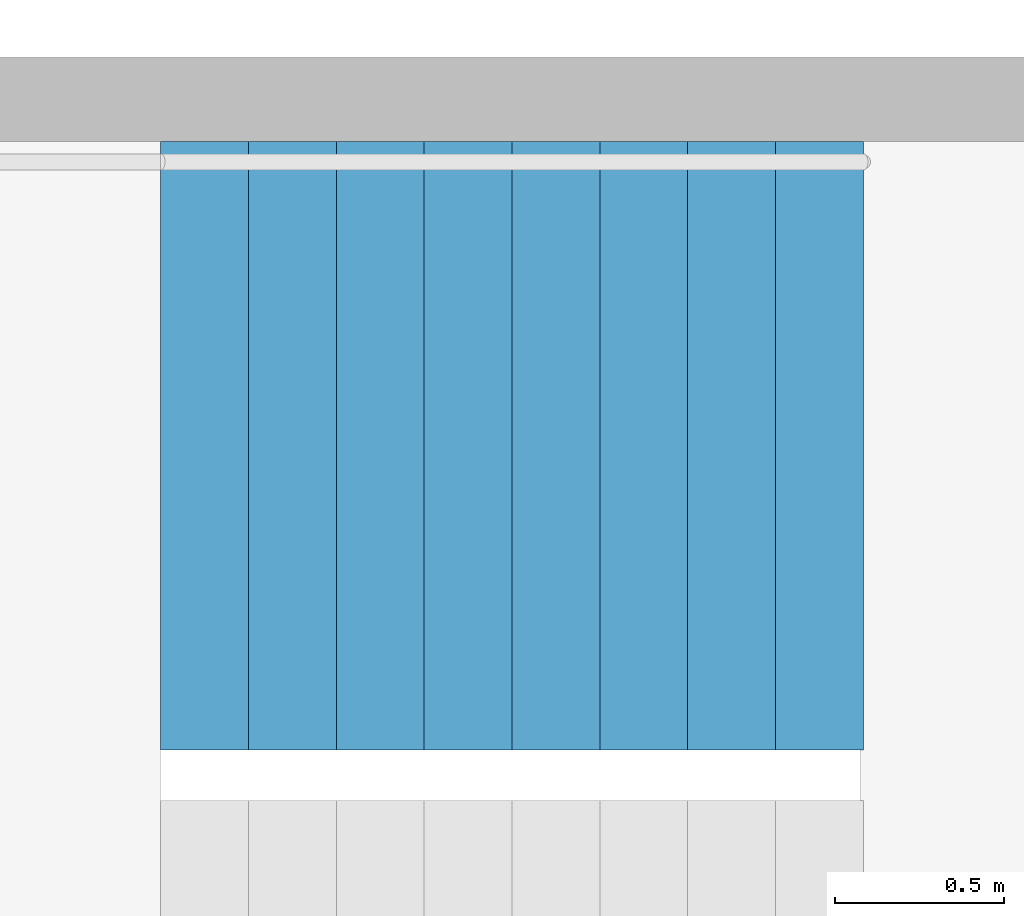
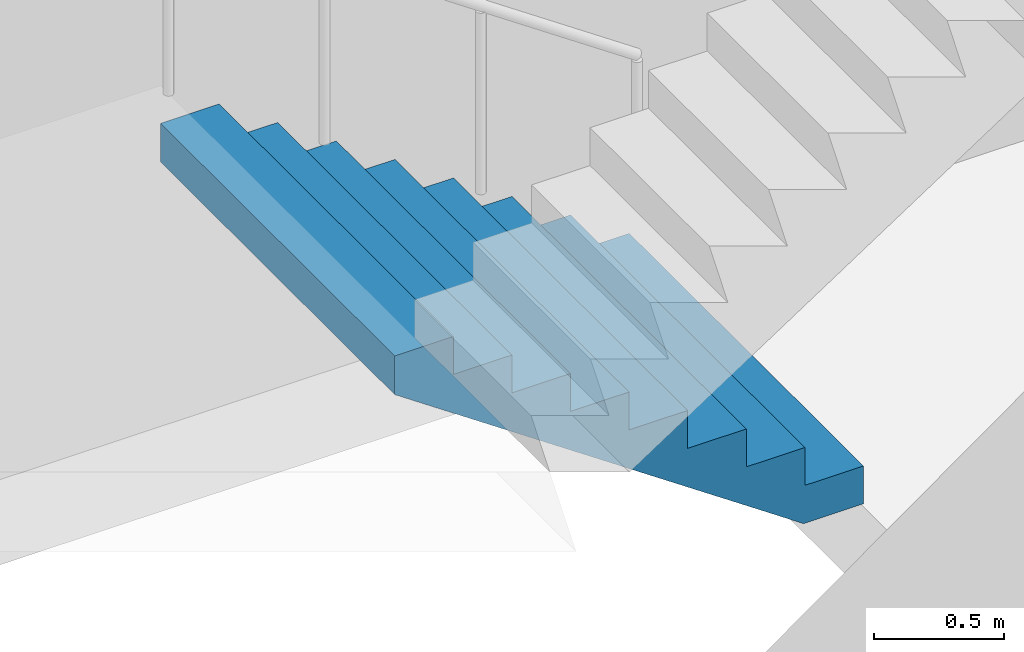
# One storey, part 22 of 29: 1 stair flight, 1 element without a shape of its own.
"""IFC4 building model written with IfcOpenShell, lengths in metres."""

from ifc_helpers import new_model, si_unit, direction, frame, origin, place, context, subcontext, project, spatial, triangles, material, type_object, element, aggregate, save


model = new_model("IFC4")

# Units and contexts
model_context = context("Model", 3, precision=1e-05, world=origin(), true_north=direction((0.0, 1.0)))
body_context = subcontext(model_context, "Body", "Model", "MODEL_VIEW")
ifc_project = project(units=[si_unit("LENGTHUNIT", "METRE"), si_unit("AREAUNIT", "SQUARE_METRE"), si_unit("VOLUMEUNIT", "CUBIC_METRE"), si_unit("PLANEANGLEUNIT", "RADIAN"), si_unit("MASSUNIT", "GRAM", prefix="KILO")], contexts=[model_context])

# Site, building, storey
site_placement = place(None, origin())
site = spatial("IfcSite", under=ifc_project, at=site_placement, CompositionType="ELEMENT")
building_placement = place(site_placement, origin())
building = spatial("IfcBuilding", under=site, at=building_placement, Name="Hakoniwa Tower and Hamabe Station Hall", CompositionType="ELEMENT")
storey_placement = place(building_placement, frame((0.0, 0.0, 91.39990234375)))
storey = spatial("IfcBuildingStorey", under=building, at=storey_placement, Name="L25", CompositionType="ELEMENT", Elevation=91.39990234375)

# Stair, stair flight
ifc_material_1 = material(Name="Concrete C40", Category="concrete")
stair_type = type_object("IfcStairType", Name="ESCAPE STAIR 1800", PredefinedType="HALF_TURN_STAIR", material=ifc_material_1)
stair_placement = place(storey_placement, origin())
stair = element("IfcStair", 1, at=stair_placement, inside=storey, type_object=stair_type, Name="Escape stair ST-2 L25", PredefinedType="HALF_TURN_STAIR")
ifc_material_2 = material(Name="Concrete C40", Category="concrete")
stair_flight_type = type_object("IfcStairFlightType", Name="STAIR FLIGHT 1800", PredefinedType="STRAIGHT", material=ifc_material_2)
stair_flight_placement = place(storey_placement, frame((-23.39990234375, -4.64990234375, 0.0), z_axis=(0.0, 0.0, 1.0), x_axis=(-1.0, 0.0, 0.0)))
stair_flight = element("IfcStairFlight", 2, at=stair_flight_placement, type_object=stair_flight_type, Name="ST-2 flight 1", NumberOfRisers=9, NumberOfTreads=8, PredefinedType="STRAIGHT", RiserHeight=0.177777778, TreadLength=0.26, context=body_context, shape_type="Tessellation", body=[
    triangles([(0.0, 0.89990234375, 0.0), (0.260009765625, 0.89990234375, 0.0), (0.265625, 0.89990234375, 0.0), (0.52001953125, 0.89990234375, 0.174072265625), (0.780029296875, 0.89990234375, 0.351806640625), (1.0400390625, 0.89990234375, 0.529541015625), (1.300048828125, 0.89990234375, 0.707275390625), (1.56005859375, 0.89990234375, 0.885009765625), (1.820068359375, 0.89990234375, 1.062744140625), (2.080078125, 0.89990234375, 1.24072265625), (2.080078125, 0.89990234375, 1.422119140625), (1.820068359375, 0.89990234375, 1.422119140625), (1.820068359375, 0.89990234375, 1.244384765625), (1.56005859375, 0.89990234375, 1.244384765625), (1.56005859375, 0.89990234375, 1.066650390625), (1.300048828125, 0.89990234375, 1.066650390625), (1.300048828125, 0.89990234375, 0.888916015625), (1.0400390625, 0.89990234375, 0.888916015625), (1.0400390625, 0.89990234375, 0.711181640625), (0.780029296875, 0.89990234375, 0.711181640625), (0.780029296875, 0.89990234375, 0.533447265625), (0.52001953125, 0.89990234375, 0.533447265625), (0.52001953125, 0.89990234375, 0.35546875), (0.265625, 0.89990234375, 0.35546875), (0.260009765625, 0.89990234375, 0.35546875), (0.260009765625, 0.89990234375, 0.177734375), (0.0, 0.89990234375, 0.177734375), (0.0, 0.06005859375, 0.0), (0.260009765625, 0.06005859375, 0.0), (0.265625, 0.06005859375, 0.0), (0.52001953125, 0.06005859375, 0.174072265625), (0.780029296875, 0.06005859375, 0.351806640625), (1.0400390625, 0.06005859375, 0.529541015625), (1.300048828125, 0.06005859375, 0.707275390625), (1.56005859375, 0.06005859375, 0.885009765625), (1.820068359375, 0.06005859375, 1.062744140625), (2.080078125, 0.06005859375, 1.24072265625), (2.080078125, 0.06005859375, 1.422119140625), (1.820068359375, 0.06005859375, 1.422119140625), (1.820068359375, 0.06005859375, 1.244384765625), (1.56005859375, 0.06005859375, 1.244384765625), (1.56005859375, 0.06005859375, 1.066650390625), (1.300048828125, 0.06005859375, 1.066650390625), (1.300048828125, 0.06005859375, 0.888916015625), (1.0400390625, 0.06005859375, 0.888916015625), (1.0400390625, 0.06005859375, 0.711181640625), (0.780029296875, 0.06005859375, 0.711181640625), (0.780029296875, 0.06005859375, 0.533447265625), (0.52001953125, 0.06005859375, 0.533447265625), (0.52001953125, 0.06005859375, 0.35546875), (0.265625, 0.06005859375, 0.35546875), (0.260009765625, 0.06005859375, 0.35546875), (0.260009765625, 0.06005859375, 0.177734375), (0.0, 0.06005859375, 0.177734375), (0.0, 0.04296875, 0.0), (0.260009765625, 0.04296875, 0.0), (0.265625, 0.04296875, 0.0), (0.52001953125, 0.04296875, 0.174072265625), (0.780029296875, 0.04296875, 0.351806640625), (1.0400390625, 0.04296875, 0.529541015625), (1.300048828125, 0.04296875, 0.707275390625), (1.56005859375, 0.04296875, 0.885009765625), (1.820068359375, 0.04296875, 1.062744140625), (2.080078125, 0.04296875, 1.24072265625), (2.080078125, 0.04296875, 1.422119140625), (1.820068359375, 0.04296875, 1.422119140625), (1.820068359375, 0.04296875, 1.244384765625), (1.56005859375, 0.04296875, 1.244384765625), (1.56005859375, 0.04296875, 1.066650390625), (1.300048828125, 0.04296875, 1.066650390625), (1.300048828125, 0.04296875, 0.888916015625), (1.0400390625, 0.04296875, 0.888916015625), (1.0400390625, 0.04296875, 0.711181640625), (0.780029296875, 0.04296875, 0.711181640625), (0.780029296875, 0.04296875, 0.533447265625), (0.52001953125, 0.04296875, 0.533447265625), (0.52001953125, 0.04296875, 0.35546875), (0.265625, 0.04296875, 0.35546875), (0.260009765625, 0.04296875, 0.35546875), (0.260009765625, 0.04296875, 0.177734375), (0.0, 0.04296875, 0.177734375), (0.0, 0.025634765625, 0.0), (0.260009765625, 0.025634765625, 0.0), (0.265625, 0.025634765625, 0.0), (0.52001953125, 0.025634765625, 0.174072265625), (0.780029296875, 0.025634765625, 0.351806640625), (1.0400390625, 0.025634765625, 0.529541015625), (1.300048828125, 0.025634765625, 0.707275390625), (1.56005859375, 0.025634765625, 0.885009765625), (1.820068359375, 0.025634765625, 1.062744140625), (2.080078125, 0.025634765625, 1.24072265625), (2.080078125, 0.025634765625, 1.422119140625), (1.820068359375, 0.025634765625, 1.422119140625), (1.820068359375, 0.025634765625, 1.244384765625), (1.56005859375, 0.025634765625, 1.244384765625), (1.56005859375, 0.025634765625, 1.066650390625), (1.300048828125, 0.025634765625, 1.066650390625), (1.300048828125, 0.025634765625, 0.888916015625), (1.0400390625, 0.025634765625, 0.888916015625), (1.0400390625, 0.025634765625, 0.711181640625), (0.780029296875, 0.025634765625, 0.711181640625), (0.780029296875, 0.025634765625, 0.533447265625), (0.52001953125, 0.025634765625, 0.533447265625), (0.52001953125, 0.025634765625, 0.35546875), (0.265625, 0.025634765625, 0.35546875), (0.260009765625, 0.025634765625, 0.35546875), (0.260009765625, 0.025634765625, 0.177734375), (0.0, 0.025634765625, 0.177734375), (0.0, 0.008544921875, 0.0), (0.260009765625, 0.008544921875, 0.0), (0.265625, 0.008544921875, 0.0), (0.52001953125, 0.008544921875, 0.174072265625), (0.780029296875, 0.008544921875, 0.351806640625), (1.0400390625, 0.008544921875, 0.529541015625), (1.300048828125, 0.008544921875, 0.707275390625), (1.56005859375, 0.008544921875, 0.885009765625), (1.820068359375, 0.008544921875, 1.062744140625), (2.080078125, 0.008544921875, 1.24072265625), (2.080078125, 0.008544921875, 1.422119140625), (1.820068359375, 0.008544921875, 1.422119140625), (1.820068359375, 0.008544921875, 1.244384765625), (1.56005859375, 0.008544921875, 1.244384765625), (1.56005859375, 0.008544921875, 1.066650390625), (1.300048828125, 0.008544921875, 1.066650390625), (1.300048828125, 0.008544921875, 0.888916015625), (1.0400390625, 0.008544921875, 0.888916015625), (1.0400390625, 0.008544921875, 0.711181640625), (0.780029296875, 0.008544921875, 0.711181640625), (0.780029296875, 0.008544921875, 0.533447265625), (0.52001953125, 0.008544921875, 0.533447265625), (0.52001953125, 0.008544921875, 0.35546875), (0.265625, 0.008544921875, 0.35546875), (0.260009765625, 0.008544921875, 0.35546875), (0.260009765625, 0.008544921875, 0.177734375), (0.0, 0.008544921875, 0.177734375), (0.0, -0.008544921875, 0.0), (0.260009765625, -0.008544921875, 0.0), (0.265625, -0.008544921875, 0.0), (0.52001953125, -0.008544921875, 0.174072265625), (0.780029296875, -0.008544921875, 0.351806640625), (1.0400390625, -0.008544921875, 0.529541015625), (1.300048828125, -0.008544921875, 0.707275390625), (1.56005859375, -0.008544921875, 0.885009765625), (1.820068359375, -0.008544921875, 1.062744140625), (2.080078125, -0.008544921875, 1.24072265625), (2.080078125, -0.008544921875, 1.422119140625), (1.820068359375, -0.008544921875, 1.422119140625), (1.820068359375, -0.008544921875, 1.244384765625), (1.56005859375, -0.008544921875, 1.244384765625), (1.56005859375, -0.008544921875, 1.066650390625), (1.300048828125, -0.008544921875, 1.066650390625), (1.300048828125, -0.008544921875, 0.888916015625), (1.0400390625, -0.008544921875, 0.888916015625), (1.0400390625, -0.008544921875, 0.711181640625), (0.780029296875, -0.008544921875, 0.711181640625), (0.780029296875, -0.008544921875, 0.533447265625), (0.52001953125, -0.008544921875, 0.533447265625), (0.52001953125, -0.008544921875, 0.35546875), (0.265625, -0.008544921875, 0.35546875), (0.260009765625, -0.008544921875, 0.35546875), (0.260009765625, -0.008544921875, 0.177734375), (0.0, -0.008544921875, 0.177734375), (0.0, -0.025634765625, 0.0), (0.260009765625, -0.025634765625, 0.0), (0.265625, -0.025634765625, 0.0), (0.52001953125, -0.025634765625, 0.174072265625), (0.780029296875, -0.025634765625, 0.351806640625), (1.0400390625, -0.025634765625, 0.529541015625), (1.300048828125, -0.025634765625, 0.707275390625), (1.56005859375, -0.025634765625, 0.885009765625), (1.820068359375, -0.025634765625, 1.062744140625), (2.080078125, -0.025634765625, 1.24072265625), (2.080078125, -0.025634765625, 1.422119140625), (1.820068359375, -0.025634765625, 1.422119140625), (1.820068359375, -0.025634765625, 1.244384765625), (1.56005859375, -0.025634765625, 1.244384765625), (1.56005859375, -0.025634765625, 1.066650390625), (1.300048828125, -0.025634765625, 1.066650390625), (1.300048828125, -0.025634765625, 0.888916015625), (1.0400390625, -0.025634765625, 0.888916015625), (1.0400390625, -0.025634765625, 0.711181640625), (0.780029296875, -0.025634765625, 0.711181640625), (0.780029296875, -0.025634765625, 0.533447265625), (0.52001953125, -0.025634765625, 0.533447265625), (0.52001953125, -0.025634765625, 0.35546875), (0.265625, -0.025634765625, 0.35546875), (0.260009765625, -0.025634765625, 0.35546875), (0.260009765625, -0.025634765625, 0.177734375), (0.0, -0.025634765625, 0.177734375), (0.0, -0.04296875, 0.0), (0.260009765625, -0.04296875, 0.0), (0.265625, -0.04296875, 0.0), (0.52001953125, -0.04296875, 0.174072265625), (0.780029296875, -0.04296875, 0.351806640625), (1.0400390625, -0.04296875, 0.529541015625), (1.300048828125, -0.04296875, 0.707275390625), (1.56005859375, -0.04296875, 0.885009765625), (1.820068359375, -0.04296875, 1.062744140625), (2.080078125, -0.04296875, 1.24072265625), (2.080078125, -0.04296875, 1.422119140625), (1.820068359375, -0.04296875, 1.422119140625), (1.820068359375, -0.04296875, 1.244384765625), (1.56005859375, -0.04296875, 1.244384765625), (1.56005859375, -0.04296875, 1.066650390625), (1.300048828125, -0.04296875, 1.066650390625), (1.300048828125, -0.04296875, 0.888916015625), (1.0400390625, -0.04296875, 0.888916015625), (1.0400390625, -0.04296875, 0.711181640625), (0.780029296875, -0.04296875, 0.711181640625), (0.780029296875, -0.04296875, 0.533447265625), (0.52001953125, -0.04296875, 0.533447265625), (0.52001953125, -0.04296875, 0.35546875), (0.265625, -0.04296875, 0.35546875), (0.260009765625, -0.04296875, 0.35546875), (0.260009765625, -0.04296875, 0.177734375), (0.0, -0.04296875, 0.177734375), (0.0, -0.06005859375, 0.0), (0.260009765625, -0.06005859375, 0.0), (0.265625, -0.06005859375, 0.0), (0.52001953125, -0.06005859375, 0.174072265625), (0.780029296875, -0.06005859375, 0.351806640625), (1.0400390625, -0.06005859375, 0.529541015625), (1.300048828125, -0.06005859375, 0.707275390625), (1.56005859375, -0.06005859375, 0.885009765625), (1.820068359375, -0.06005859375, 1.062744140625), (2.080078125, -0.06005859375, 1.24072265625), (2.080078125, -0.06005859375, 1.422119140625), (1.820068359375, -0.06005859375, 1.422119140625), (1.820068359375, -0.06005859375, 1.244384765625), (1.56005859375, -0.06005859375, 1.244384765625), (1.56005859375, -0.06005859375, 1.066650390625), (1.300048828125, -0.06005859375, 1.066650390625), (1.300048828125, -0.06005859375, 0.888916015625), (1.0400390625, -0.06005859375, 0.888916015625), (1.0400390625, -0.06005859375, 0.711181640625), (0.780029296875, -0.06005859375, 0.711181640625), (0.780029296875, -0.06005859375, 0.533447265625), (0.52001953125, -0.06005859375, 0.533447265625), (0.52001953125, -0.06005859375, 0.35546875), (0.265625, -0.06005859375, 0.35546875), (0.260009765625, -0.06005859375, 0.35546875), (0.260009765625, -0.06005859375, 0.177734375), (0.0, -0.06005859375, 0.177734375), (0.0, -0.89990234375, 0.0), (0.260009765625, -0.89990234375, 0.0), (0.265625, -0.89990234375, 0.0), (0.52001953125, -0.89990234375, 0.174072265625), (0.780029296875, -0.89990234375, 0.351806640625), (1.0400390625, -0.89990234375, 0.529541015625), (1.300048828125, -0.89990234375, 0.707275390625), (1.56005859375, -0.89990234375, 0.885009765625), (1.820068359375, -0.89990234375, 1.062744140625), (2.080078125, -0.89990234375, 1.24072265625), (2.080078125, -0.89990234375, 1.422119140625), (1.820068359375, -0.89990234375, 1.422119140625), (1.820068359375, -0.89990234375, 1.244384765625), (1.56005859375, -0.89990234375, 1.244384765625), (1.56005859375, -0.89990234375, 1.066650390625), (1.300048828125, -0.89990234375, 1.066650390625), (1.300048828125, -0.89990234375, 0.888916015625), (1.0400390625, -0.89990234375, 0.888916015625), (1.0400390625, -0.89990234375, 0.711181640625), (0.780029296875, -0.89990234375, 0.711181640625), (0.780029296875, -0.89990234375, 0.533447265625), (0.52001953125, -0.89990234375, 0.533447265625), (0.52001953125, -0.89990234375, 0.35546875), (0.265625, -0.89990234375, 0.35546875), (0.260009765625, -0.89990234375, 0.35546875), (0.260009765625, -0.89990234375, 0.177734375), (0.0, -0.89990234375, 0.177734375)], [[2, 27, 26], [245, 269, 270], [2, 1, 27], [245, 270, 244], [3, 25, 24], [246, 267, 268], [3, 26, 25], [246, 268, 269], [3, 2, 26], [246, 269, 245], [4, 24, 23], [247, 266, 267], [4, 3, 24], [247, 267, 246], [5, 22, 21], [248, 264, 265], [5, 23, 22], [248, 265, 266], [5, 4, 23], [248, 266, 247], [6, 20, 19], [249, 262, 263], [6, 21, 20], [249, 263, 264], [6, 5, 21], [249, 264, 248], [7, 18, 17], [250, 260, 261], [7, 19, 18], [250, 261, 262], [7, 6, 19], [250, 262, 249], [8, 16, 15], [251, 258, 259], [8, 17, 16], [251, 259, 260], [8, 7, 17], [251, 260, 250], [9, 14, 13], [252, 256, 257], [9, 15, 14], [252, 257, 258], [9, 8, 15], [252, 258, 251], [10, 12, 11], [253, 254, 255], [10, 13, 12], [253, 255, 256], [10, 9, 13], [253, 256, 252], [1, 2, 29], [1, 29, 28], [28, 29, 56], [28, 56, 55], [55, 56, 83], [55, 83, 82], [82, 83, 110], [82, 110, 109], [109, 110, 137], [109, 137, 136], [136, 137, 164], [136, 164, 163], [163, 164, 191], [163, 191, 190], [190, 191, 218], [190, 218, 217], [217, 218, 245], [217, 245, 244], [2, 3, 30], [2, 30, 29], [29, 30, 57], [29, 57, 56], [56, 57, 84], [56, 84, 83], [83, 84, 111], [83, 111, 110], [110, 111, 138], [110, 138, 137], [137, 138, 165], [137, 165, 164], [164, 165, 192], [164, 192, 191], [191, 192, 219], [191, 219, 218], [218, 219, 246], [218, 246, 245], [3, 4, 31], [3, 31, 30], [30, 31, 58], [30, 58, 57], [57, 58, 85], [57, 85, 84], [84, 85, 112], [84, 112, 111], [111, 112, 139], [111, 139, 138], [138, 139, 166], [138, 166, 165], [165, 166, 193], [165, 193, 192], [192, 193, 220], [192, 220, 219], [219, 220, 247], [219, 247, 246], [4, 5, 32], [4, 32, 31], [31, 32, 59], [31, 59, 58], [58, 59, 86], [58, 86, 85], [85, 86, 113], [85, 113, 112], [112, 113, 140], [112, 140, 139], [139, 140, 167], [139, 167, 166], [166, 167, 194], [166, 194, 193], [193, 194, 221], [193, 221, 220], [220, 221, 248], [220, 248, 247], [5, 6, 33], [5, 33, 32], [32, 33, 60], [32, 60, 59], [59, 60, 87], [59, 87, 86], [86, 87, 114], [86, 114, 113], [113, 114, 141], [113, 141, 140], [140, 141, 168], [140, 168, 167], [167, 168, 195], [167, 195, 194], [194, 195, 222], [194, 222, 221], [221, 222, 249], [221, 249, 248], [6, 7, 34], [6, 34, 33], [33, 34, 61], [33, 61, 60], [60, 61, 88], [60, 88, 87], [87, 88, 115], [87, 115, 114], [114, 115, 142], [114, 142, 141], [141, 142, 169], [141, 169, 168], [168, 169, 196], [168, 196, 195], [195, 196, 223], [195, 223, 222], [222, 223, 250], [222, 250, 249], [7, 8, 35], [7, 35, 34], [34, 35, 62], [34, 62, 61], [61, 62, 89], [61, 89, 88], [88, 89, 116], [88, 116, 115], [115, 116, 143], [115, 143, 142], [142, 143, 170], [142, 170, 169], [169, 170, 197], [169, 197, 196], [196, 197, 224], [196, 224, 223], [223, 224, 251], [223, 251, 250], [8, 9, 36], [8, 36, 35], [35, 36, 63], [35, 63, 62], [62, 63, 90], [62, 90, 89], [89, 90, 117], [89, 117, 116], [116, 117, 144], [116, 144, 143], [143, 144, 171], [143, 171, 170], [170, 171, 198], [170, 198, 197], [197, 198, 225], [197, 225, 224], [224, 225, 252], [224, 252, 251], [9, 10, 37], [9, 37, 36], [36, 37, 64], [36, 64, 63], [63, 64, 91], [63, 91, 90], [90, 91, 118], [90, 118, 117], [117, 118, 145], [117, 145, 144], [144, 145, 172], [144, 172, 171], [171, 172, 199], [171, 199, 198], [198, 199, 226], [198, 226, 225], [225, 226, 253], [225, 253, 252], [10, 11, 38], [10, 38, 37], [37, 38, 65], [37, 65, 64], [64, 65, 92], [64, 92, 91], [91, 92, 119], [91, 119, 118], [118, 119, 146], [118, 146, 145], [145, 146, 173], [145, 173, 172], [172, 173, 200], [172, 200, 199], [199, 200, 227], [199, 227, 226], [226, 227, 254], [226, 254, 253], [11, 12, 39], [11, 39, 38], [38, 39, 66], [38, 66, 65], [65, 66, 93], [65, 93, 92], [92, 93, 120], [92, 120, 119], [119, 120, 147], [119, 147, 146], [146, 147, 174], [146, 174, 173], [173, 174, 201], [173, 201, 200], [200, 201, 228], [200, 228, 227], [227, 228, 255], [227, 255, 254], [12, 13, 40], [12, 40, 39], [39, 40, 67], [39, 67, 66], [66, 67, 94], [66, 94, 93], [93, 94, 121], [93, 121, 120], [120, 121, 148], [120, 148, 147], [147, 148, 175], [147, 175, 174], [174, 175, 202], [174, 202, 201], [201, 202, 229], [201, 229, 228], [228, 229, 256], [228, 256, 255], [13, 14, 41], [13, 41, 40], [40, 41, 68], [40, 68, 67], [67, 68, 95], [67, 95, 94], [94, 95, 122], [94, 122, 121], [121, 122, 149], [121, 149, 148], [148, 149, 176], [148, 176, 175], [175, 176, 203], [175, 203, 202], [202, 203, 230], [202, 230, 229], [229, 230, 257], [229, 257, 256], [14, 15, 42], [14, 42, 41], [41, 42, 69], [41, 69, 68], [68, 69, 96], [68, 96, 95], [95, 96, 123], [95, 123, 122], [122, 123, 150], [122, 150, 149], [149, 150, 177], [149, 177, 176], [176, 177, 204], [176, 204, 203], [203, 204, 231], [203, 231, 230], [230, 231, 258], [230, 258, 257], [15, 16, 43], [15, 43, 42], [42, 43, 70], [42, 70, 69], [69, 70, 97], [69, 97, 96], [96, 97, 124], [96, 124, 123], [123, 124, 151], [123, 151, 150], [150, 151, 178], [150, 178, 177], [177, 178, 205], [177, 205, 204], [204, 205, 232], [204, 232, 231], [231, 232, 259], [231, 259, 258], [16, 17, 44], [16, 44, 43], [43, 44, 71], [43, 71, 70], [70, 71, 98], [70, 98, 97], [97, 98, 125], [97, 125, 124], [124, 125, 152], [124, 152, 151], [151, 152, 179], [151, 179, 178], [178, 179, 206], [178, 206, 205], [205, 206, 233], [205, 233, 232], [232, 233, 260], [232, 260, 259], [17, 18, 45], [17, 45, 44], [44, 45, 72], [44, 72, 71], [71, 72, 99], [71, 99, 98], [98, 99, 126], [98, 126, 125], [125, 126, 153], [125, 153, 152], [152, 153, 180], [152, 180, 179], [179, 180, 207], [179, 207, 206], [206, 207, 234], [206, 234, 233], [233, 234, 261], [233, 261, 260], [18, 19, 46], [18, 46, 45], [45, 46, 73], [45, 73, 72], [72, 73, 100], [72, 100, 99], [99, 100, 127], [99, 127, 126], [126, 127, 154], [126, 154, 153], [153, 154, 181], [153, 181, 180], [180, 181, 208], [180, 208, 207], [207, 208, 235], [207, 235, 234], [234, 235, 262], [234, 262, 261], [19, 20, 47], [19, 47, 46], [46, 47, 74], [46, 74, 73], [73, 74, 101], [73, 101, 100], [100, 101, 128], [100, 128, 127], [127, 128, 155], [127, 155, 154], [154, 155, 182], [154, 182, 181], [181, 182, 209], [181, 209, 208], [208, 209, 236], [208, 236, 235], [235, 236, 263], [235, 263, 262], [20, 21, 48], [20, 48, 47], [47, 48, 75], [47, 75, 74], [74, 75, 102], [74, 102, 101], [101, 102, 129], [101, 129, 128], [128, 129, 156], [128, 156, 155], [155, 156, 183], [155, 183, 182], [182, 183, 210], [182, 210, 209], [209, 210, 237], [209, 237, 236], [236, 237, 264], [236, 264, 263], [21, 22, 49], [21, 49, 48], [48, 49, 76], [48, 76, 75], [75, 76, 103], [75, 103, 102], [102, 103, 130], [102, 130, 129], [129, 130, 157], [129, 157, 156], [156, 157, 184], [156, 184, 183], [183, 184, 211], [183, 211, 210], [210, 211, 238], [210, 238, 237], [237, 238, 265], [237, 265, 264], [22, 23, 50], [22, 50, 49], [49, 50, 77], [49, 77, 76], [76, 77, 104], [76, 104, 103], [103, 104, 131], [103, 131, 130], [130, 131, 158], [130, 158, 157], [157, 158, 185], [157, 185, 184], [184, 185, 212], [184, 212, 211], [211, 212, 239], [211, 239, 238], [238, 239, 266], [238, 266, 265], [23, 24, 51], [23, 51, 50], [50, 51, 78], [50, 78, 77], [77, 78, 105], [77, 105, 104], [104, 105, 132], [104, 132, 131], [131, 132, 159], [131, 159, 158], [158, 159, 186], [158, 186, 185], [185, 186, 213], [185, 213, 212], [212, 213, 240], [212, 240, 239], [239, 240, 267], [239, 267, 266], [24, 25, 52], [24, 52, 51], [51, 52, 79], [51, 79, 78], [78, 79, 106], [78, 106, 105], [105, 106, 133], [105, 133, 132], [132, 133, 160], [132, 160, 159], [159, 160, 187], [159, 187, 186], [186, 187, 214], [186, 214, 213], [213, 214, 241], [213, 241, 240], [240, 241, 268], [240, 268, 267], [25, 26, 53], [25, 53, 52], [52, 53, 80], [52, 80, 79], [79, 80, 107], [79, 107, 106], [106, 107, 134], [106, 134, 133], [133, 134, 161], [133, 161, 160], [160, 161, 188], [160, 188, 187], [187, 188, 215], [187, 215, 214], [214, 215, 242], [214, 242, 241], [241, 242, 269], [241, 269, 268], [26, 27, 54], [26, 54, 53], [53, 54, 81], [53, 81, 80], [80, 81, 108], [80, 108, 107], [107, 108, 135], [107, 135, 134], [134, 135, 162], [134, 162, 161], [161, 162, 189], [161, 189, 188], [188, 189, 216], [188, 216, 215], [215, 216, 243], [215, 243, 242], [242, 243, 270], [242, 270, 269], [27, 1, 28], [27, 28, 54], [54, 28, 55], [54, 55, 81], [81, 55, 82], [81, 82, 108], [108, 82, 109], [108, 109, 135], [135, 109, 136], [135, 136, 162], [162, 136, 163], [162, 163, 189], [189, 163, 190], [189, 190, 216], [216, 190, 217], [216, 217, 243], [243, 217, 244], [243, 244, 270]], closed=True),
])
aggregate(stair, [stair_flight])

save(model, "model.ifc")
